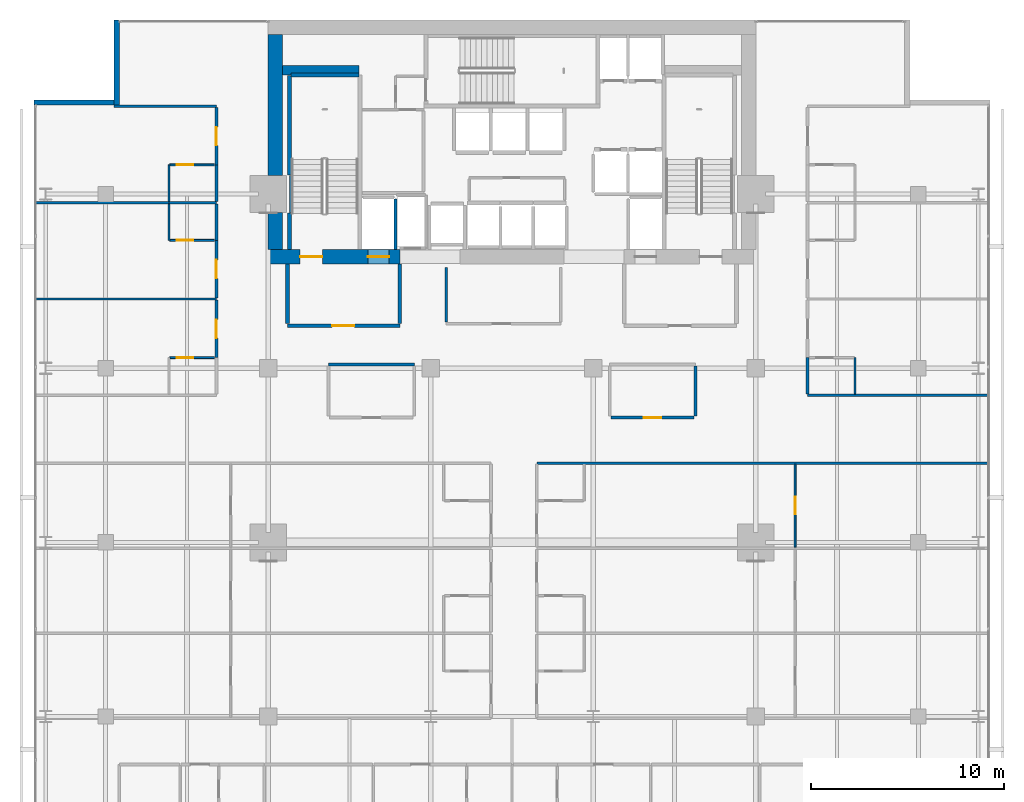
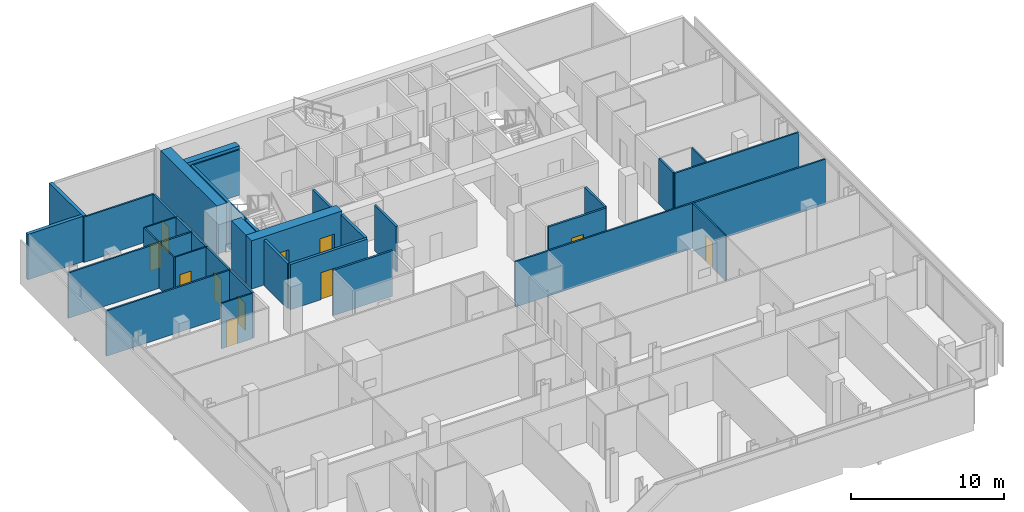
# One storey, part 29 of 34: 36 walls, 11 doors, 11 openings.
"""IFC4 building model written with IfcOpenShell, lengths in metres."""

from ifc_helpers import new_model, si_unit, direction, frame, frame_2d, origin, place, context, subcontext, project, spatial, rectangle, extrude, material, layer, layer_set, type_object, element, fill, save


model = new_model("IFC4")

# Units and contexts
model_context = context("Model", 3, precision=1e-05, world=origin(), true_north=direction((0.0, 1.0)))
body_context = subcontext(model_context, "Body", "Model", "MODEL_VIEW")
ifc_project = project(units=[si_unit("LENGTHUNIT", "METRE"), si_unit("AREAUNIT", "SQUARE_METRE"), si_unit("VOLUMEUNIT", "CUBIC_METRE"), si_unit("PLANEANGLEUNIT", "RADIAN"), si_unit("MASSUNIT", "GRAM", prefix="KILO")], contexts=[model_context])

# Site, building, storey
site_placement = place(None, origin())
site = spatial("IfcSite", under=ifc_project, at=site_placement, CompositionType="ELEMENT")
building_placement = place(site_placement, origin())
building = spatial("IfcBuilding", under=site, at=building_placement, Name="Maruvema Waterfront Hotel and Observation Tower", CompositionType="ELEMENT")
storey_placement = place(building_placement, frame((0.0, 0.0, 208.25)))
storey = spatial("IfcBuildingStorey", under=building, at=storey_placement, Name="L51", CompositionType="ELEMENT", Elevation=208.25)

# Walls
ifc_material_1 = material(Name="Twin-stud acoustic gypsum drywall", Category="gypsum")
ifc_layer_1 = layer(ifc_material_1, 0.14990234375, Name="Acoustic Corridor and Suite Demising Wall 150 mm")
ifc_layer_set_1 = layer_set([ifc_layer_1], Name="Twin-stud acoustic gypsum drywall")
wall_type_1 = type_object("IfcWallType", Name="Acoustic Corridor and Suite Demising Wall 150 mm", PredefinedType="PARTITIONING", material=ifc_layer_set_1)
wall_1_placement = place(storey_placement, frame((34.39990234375, 38.3798828125, 0.0), z_axis=(0.0, 0.0, 1.0), x_axis=(0.0, 1.0, 0.0)))
element("IfcWall", 1, at=wall_1_placement, inside=storey, type_object=wall_type_1, Name="L51 Core Apron K0 West 019", PredefinedType="PARTITIONING", context=body_context, shape_type="SweptSolid", body=[
    extrude(rectangle(XDim=2.840087890625, YDim=0.14990234375, at=frame_2d((1.419921875, 0.0))), origin(), (0.0, 0.0, 1.0), 3.610107421875),
])
wall_2_placement = place(storey_placement, frame((28.320068359375, 36.199951171875, 0.0), z_axis=(0.0, 0.0, 1.0), x_axis=(1.0, 0.0, 0.0)))
element("IfcWall", 2, at=wall_2_placement, inside=storey, type_object=wall_type_1, Name="L51 L51-M1 Back Wall 021", PredefinedType="PARTITIONING", context=body_context, shape_type="SweptSolid", body=[
    extrude(rectangle(XDim=4.429931640625, YDim=0.14990234375, at=frame_2d((2.21484375, 0.0))), origin(), (0.0, 0.0, 1.0), 3.610107421875),
])
wall_3_placement = place(storey_placement, frame((47.280029296875, 33.530029296875, 0.0), z_axis=(0.0, 0.0, 1.0), x_axis=(0.0, 1.0, 0.0)))
element("IfcWall", 3, at=wall_3_placement, inside=storey, type_object=wall_type_1, Name="L51 L51-M2 East Wall 027", PredefinedType="PARTITIONING", context=body_context, shape_type="SweptSolid", body=[
    extrude(rectangle(XDim=2.590087890625, YDim=0.14990234375, at=frame_2d((1.294921875, 0.0))), origin(), (0.0, 0.0, 1.0), 3.610107421875),
])

# Wall, opening, door
wall_4_placement = place(storey_placement, frame((42.909912109375, 33.449951171875, 0.0), z_axis=(0.0, 0.0, 1.0), x_axis=(1.0, 0.0, 0.0)))
wall_4 = element("IfcWall", 4, at=wall_4_placement, inside=storey, type_object=wall_type_1, Name="L51 L51-M2 Front 1 028", PredefinedType="PARTITIONING", context=body_context, shape_type="SweptSolid", body=[
    extrude(rectangle(XDim=4.31005859375, YDim=0.14990234375, at=frame_2d((2.155029296875, 0.0))), origin(), (0.0, 0.0, 1.0), 3.610107421875),
])
opening_1_placement = place(wall_4_placement, frame((1.705078125, 0.0, 0.0)))
opening_1 = element("IfcOpeningElement", 5, at=opening_1_placement, cuts=wall_4, Name="Opening DR-090", PredefinedType="OPENING", context=body_context, shape_type="SweptSolid", body=[
    extrude(rectangle(XDim=0.89990234375, YDim=2.10009765625, at=frame_2d((0.449951171875, 1.050048828125))), frame((0.0, 0.0849609375, 0.0), z_axis=(0.0, -1.0, 0.0), x_axis=(1.0, 0.0, 0.0)), (0.0, 0.0, 1.0), 0.169921875),
])
ifc_material_2 = material(Name="Solid-core lacquered timber leaf", Category="wood")
door_type_1 = type_object("IfcDoorType", Name="Accessible Toilet and Room Door 900x2100 mm", OperationType="NOTDEFINED", PredefinedType="DOOR", material=ifc_material_2)
door_1_placement = place(opening_1_placement, frame((0.89990234375, 0.0, 0.0), z_axis=(0.0, 0.0, 1.0), x_axis=(-1.0, 0.0, 0.0)))
door_1 = element("IfcDoor", 6, at=door_1_placement, inside=storey, type_object=door_type_1, Name="L51 Catering Kitchen Door", OperationType="SINGLE_SWING_RIGHT", OverallHeight=2.10009765625, OverallWidth=0.89990234375, PredefinedType="DOOR", context=body_context, shape_type="SweptSolid", body=[
    extrude(rectangle(XDim=0.89990234375, YDim=2.10009765625, at=frame_2d((0.449951171875, 1.050048828125))), frame((0.0, 0.02490234375, 0.0), z_axis=(0.0, -1.0, 0.0), x_axis=(1.0, 0.0, 0.0)), (0.0, 0.0, 1.0), 0.050048828125),
])
fill(opening_1, door_1)

wall_5_placement = place(storey_placement, frame((22.52001953125, 36.550048828125, 0.0), z_axis=(0.0, 0.0, 1.0), x_axis=(0.0, 1.0, 0.0)))
wall_5 = element("IfcWall", 7, at=wall_5_placement, inside=storey, type_object=wall_type_1, Name="L51 Room L51-NW1 Corridor Wall 101", PredefinedType="PARTITIONING", context=body_context, shape_type="SweptSolid", body=[
    extrude(rectangle(XDim=2.96923828125, YDim=0.14990234375, at=frame_2d((1.484619140625, 0.0))), origin(), (0.0, 0.0, 1.0), 3.610107421875),
])
opening_2_placement = place(wall_5_placement, frame((1.009521484375, 0.0, 0.0)))
opening_2 = element("IfcOpeningElement", 8, at=opening_2_placement, cuts=wall_5, Name="Opening DR-095", PredefinedType="OPENING", context=body_context, shape_type="SweptSolid", body=[
    extrude(rectangle(XDim=0.949951171875, YDim=2.14990234375, at=frame_2d((0.47509765625, 1.074951171875))), frame((0.0, 0.0849609375, 0.0), z_axis=(0.0, -1.0, 0.0), x_axis=(1.0, 0.0, 0.0)), (0.0, 0.0, 1.0), 0.169921875),
])
ifc_material_3 = material(Name="Acoustic solid-core hardwood timber leaf", Category="wood")
door_type_2 = type_object("IfcDoorType", Name="Guestroom Entrance Fire Door 950x2150 mm", OperationType="NOTDEFINED", PredefinedType="DOOR", material=ifc_material_3)
door_2_placement = place(opening_2_placement, origin())
door_2 = element("IfcDoor", 9, at=door_2_placement, inside=storey, type_object=door_type_2, Name="L51 Room L51-NW1 Entrance Door", OperationType="SINGLE_SWING_RIGHT", OverallHeight=2.14990234375, OverallWidth=0.949951171875, PredefinedType="DOOR", context=body_context, shape_type="SweptSolid", body=[
    extrude(rectangle(XDim=0.949951171875, YDim=2.14990234375, at=frame_2d((0.47509765625, 1.074951171875))), frame((0.0, 0.02490234375, 0.0), z_axis=(0.0, -1.0, 0.0), x_axis=(1.0, 0.0, 0.0)), (0.0, 0.0, 1.0), 0.050048828125),
])
fill(opening_2, door_2)

# Wall
wall_6_placement = place(storey_placement, frame((53.080078125, 34.659912109375, 0.0), z_axis=(0.0, 0.0, 1.0), x_axis=(0.0, 1.0, 0.0)))
element("IfcWall", 10, at=wall_6_placement, inside=storey, type_object=wall_type_1, Name="L51 Bath L51-NE1 Wall 104", PredefinedType="PARTITIONING", context=body_context, shape_type="SweptSolid", body=[
    extrude(rectangle(XDim=1.89013671875, YDim=0.14990234375, at=frame_2d((0.945068359375, 0.0))), origin(), (0.0, 0.0, 1.0), 3.610107421875),
])

# Wall, opening, door
wall_7_placement = place(storey_placement, frame((22.52001953125, 39.63916015625, 0.0), z_axis=(0.0, 0.0, 1.0), x_axis=(0.0, 1.0, 0.0)))
wall_7 = element("IfcWall", 11, at=wall_7_placement, inside=storey, type_object=wall_type_1, Name="L51 Room L51-NW2 Corridor Wall 110", PredefinedType="PARTITIONING", context=body_context, shape_type="SweptSolid", body=[
    extrude(rectangle(XDim=2.96923828125, YDim=0.14990234375, at=frame_2d((1.484619140625, 0.0))), origin(), (0.0, 0.0, 1.0), 3.610107421875),
])
opening_3_placement = place(wall_7_placement, frame((1.009521484375, 0.0, 0.0)))
opening_3 = element("IfcOpeningElement", 12, at=opening_3_placement, cuts=wall_7, Name="Opening DR-095", PredefinedType="OPENING", context=body_context, shape_type="SweptSolid", body=[
    extrude(rectangle(XDim=0.949951171875, YDim=2.14990234375, at=frame_2d((0.47509765625, 1.074951171875))), frame((0.0, 0.0849609375, 0.0), z_axis=(0.0, -1.0, 0.0), x_axis=(1.0, 0.0, 0.0)), (0.0, 0.0, 1.0), 0.169921875),
])
door_3_placement = place(opening_3_placement, origin())
door_3 = element("IfcDoor", 13, at=door_3_placement, inside=storey, type_object=door_type_2, Name="L51 Room L51-NW2 Entrance Door", OperationType="SINGLE_SWING_RIGHT", OverallHeight=2.14990234375, OverallWidth=0.949951171875, PredefinedType="DOOR", context=body_context, shape_type="SweptSolid", body=[
    extrude(rectangle(XDim=0.949951171875, YDim=2.14990234375, at=frame_2d((0.47509765625, 1.074951171875))), frame((0.0, 0.02490234375, 0.0), z_axis=(0.0, -1.0, 0.0), x_axis=(1.0, 0.0, 0.0)), (0.0, 0.0, 1.0), 0.050048828125),
])
fill(opening_3, door_3)

# Walls
for number, where, z_axis, x_axis, name in (
    (14, (22.52001953125, 42.6083984375, 0.0), (0.0, 0.0, 1.0), (0.0, 1.0, 0.0), "L51 Bath L51-NW2 Wall 111"),
    (15, (22.52001953125, 44.618408203125, 0.0), (0.0, 0.0, 1.0), (0.0, 1.0, 0.0), "L51 Bath L51-NW3 Wall 120"),
):
    element("IfcWall", number, at=place(storey_placement, frame(where, z_axis=z_axis, x_axis=x_axis)), inside=storey, type_object=wall_type_1, Name=name, PredefinedType="PARTITIONING", context=body_context, shape_type="SweptSolid", body=[
        extrude(rectangle(XDim=1.889892578125, YDim=0.14990234375, at=frame_2d((0.94482421875, 0.0))), origin(), (0.0, 0.0, 1.0), 3.610107421875),
    ])

# Wall, opening, door
wall_8_placement = place(storey_placement, frame((22.52001953125, 46.50830078125, 0.0), z_axis=(0.0, 0.0, 1.0), x_axis=(0.0, 1.0, 0.0)))
wall_8 = element("IfcWall", 16, at=wall_8_placement, inside=storey, type_object=wall_type_1, Name="L51 Room L51-NW3 Corridor Wall 121", PredefinedType="PARTITIONING", context=body_context, shape_type="SweptSolid", body=[
    extrude(rectangle(XDim=2.96923828125, YDim=0.14990234375, at=frame_2d((1.484619140625, 0.0))), origin(), (0.0, 0.0, 1.0), 3.610107421875),
])
opening_4_placement = place(wall_8_placement, frame((1.009521484375, 0.0, 0.0)))
opening_4 = element("IfcOpeningElement", 17, at=opening_4_placement, cuts=wall_8, Name="Opening DR-095", PredefinedType="OPENING", context=body_context, shape_type="SweptSolid", body=[
    extrude(rectangle(XDim=0.949951171875, YDim=2.14990234375, at=frame_2d((0.47509765625, 1.074951171875))), frame((0.0, 0.0849609375, 0.0), z_axis=(0.0, -1.0, 0.0), x_axis=(1.0, 0.0, 0.0)), (0.0, 0.0, 1.0), 0.169921875),
])
door_4_placement = place(opening_4_placement, origin())
door_4 = element("IfcDoor", 18, at=door_4_placement, inside=storey, type_object=door_type_2, Name="L51 Room L51-NW3 Entrance Door", OperationType="SINGLE_SWING_RIGHT", OverallHeight=2.14990234375, OverallWidth=0.949951171875, PredefinedType="DOOR", context=body_context, shape_type="SweptSolid", body=[
    extrude(rectangle(XDim=0.949951171875, YDim=2.14990234375, at=frame_2d((0.47509765625, 1.074951171875))), frame((0.0, 0.02490234375, 0.0), z_axis=(0.0, -1.0, 0.0), x_axis=(1.0, 0.0, 0.0)), (0.0, 0.0, 1.0), 0.050048828125),
])
fill(opening_4, door_4)

# Walls
ifc_material_4 = material(Name="Precast concrete C45/55", Category="concrete")
ifc_layer_2 = layer(ifc_material_4, 0.199951171875, Name="Core Shaft and Stairwell Enclosure Wall 200 mm")
ifc_layer_set_2 = layer_set([ifc_layer_2], Name="Precast concrete C45/55")
wall_type_2 = type_object("IfcWallType", Name="Core Shaft and Stairwell Enclosure Wall 200 mm", PredefinedType="SOLIDWALL", material=ifc_layer_set_2)
wall_9_placement = place(storey_placement, frame((26.300048828125, 42.14990234375, 0.0), z_axis=(0.0, 0.0, 1.0), x_axis=(0.0, 1.0, 0.0)))
element("IfcWall", 19, at=wall_9_placement, inside=storey, type_object=wall_type_2, Name="L51 Stairwell ST-01 Shaft Lining Wall", PredefinedType="SOLIDWALL", context=body_context, shape_type="SweptSolid", body=[
    extrude(rectangle(XDim=1.8701171875, YDim=0.199951171875, at=frame_2d((0.93505859375, 0.0))), origin(), (0.0, 0.0, 1.0), 3.610107421875),
])
wall_10_placement = place(storey_placement, frame((26.300048828125, 45.97998046875, 0.0), z_axis=(0.0, 0.0, 1.0), x_axis=(0.0, 1.0, 0.0)))
element("IfcWall", 20, at=wall_10_placement, inside=storey, type_object=wall_type_2, Name="L51 Stairwell ST-01 Shaft Lining Wall", PredefinedType="SOLIDWALL", context=body_context, shape_type="SweptSolid", body=[
    extrude(rectangle(XDim=5.14013671875, YDim=0.199951171875, at=frame_2d((2.570068359375, 0.0))), origin(), (0.0, 0.0, 1.0), 3.610107421875),
])
wall_11_placement = place(storey_placement, frame((26.3798828125, 51.14990234375, 0.0), z_axis=(0.0, 0.0, 1.0), x_axis=(1.0, 0.0, 0.0)))
element("IfcWall", 21, at=wall_11_placement, inside=storey, type_object=wall_type_2, Name="L51 Stairwell ST-01 Shaft Lining Wall", PredefinedType="SOLIDWALL", context=body_context, shape_type="SweptSolid", body=[
    extrude(rectangle(XDim=3.5, YDim=0.199951171875, at=frame_2d((1.75, 0.0))), origin(), (0.0, 0.0, 1.0), 3.610107421875),
])
ifc_material_5 = material(Name="Concrete C70/85", Category="concrete")
ifc_layer_3 = layer(ifc_material_5, 0.5, Name="Core Shear Wall 500 mm")
ifc_layer_set_3 = layer_set([ifc_layer_3], Name="Concrete C70/85")
wall_type_3 = type_object("IfcWallType", Name="Core Shear Wall 500 mm", PredefinedType="SHEAR", material=ifc_layer_set_3)
wall_12_placement = place(storey_placement, frame((25.949951171875, 51.39990234375, 0.0), z_axis=(0.0, 0.0, 1.0), x_axis=(1.0, 0.0, 0.0)))
element("IfcWall", 22, at=wall_12_placement, inside=storey, type_object=wall_type_3, Name="L51 Internal Core Shear Wall NW 500 mm", PredefinedType="SHEAR", context=body_context, shape_type="SweptSolid", body=[
    extrude(rectangle(XDim=3.949951171875, YDim=0.5, at=frame_2d((1.97509765625, 0.0))), origin(), (0.0, 0.0, 1.0), 3.85009765625),
])

# Wall, openings, doors
ifc_material_6 = material(Name="Concrete C70/85", Category="concrete")
ifc_layer_4 = layer(ifc_material_6, 0.75, Name="Core Shear Wall 750 mm")
ifc_layer_set_4 = layer_set([ifc_layer_4], Name="Concrete C70/85")
wall_type_4 = type_object("IfcWallType", Name="Core Shear Wall 750 mm", PredefinedType="SHEAR", material=ifc_layer_set_4)
wall_13_placement = place(storey_placement, frame((25.199951171875, 41.77490234375, 0.0), z_axis=(0.0, 0.0, 1.0), x_axis=(1.0, 0.0, 0.0)))
wall_13 = element("IfcWall", 23, at=wall_13_placement, inside=storey, type_object=wall_type_4, Name="L51 South-West Core Shear Wall", PredefinedType="SHEAR", context=body_context, shape_type="SweptSolid", body=[
    extrude(rectangle(XDim=6.800048828125, YDim=0.75, at=frame_2d((3.39990234375, 0.0))), origin(), (0.0, 0.0, 1.0), 3.85009765625),
])
opening_5_placement = place(wall_13_placement, frame((1.64990234375, 0.0, 0.0)))
opening_5 = element("IfcOpeningElement", 24, at=opening_5_placement, cuts=wall_13, Name="Opening SD-01", PredefinedType="OPENING", context=body_context, shape_type="SweptSolid", body=[
    extrude(rectangle(XDim=1.14990234375, YDim=2.14990234375, at=frame_2d((0.574951171875, 1.074951171875))), frame((0.0, 0.385009765625, 0.0), z_axis=(0.0, -1.0, 0.0), x_axis=(1.0, 0.0, 0.0)), (0.0, 0.0, 1.0), 0.77001953125),
])
opening_6_placement = place(wall_13_placement, frame((5.14990234375, 0.0, 0.0)))
opening_6 = element("IfcOpeningElement", 25, at=opening_6_placement, cuts=wall_13, Name="Opening LD-03", PredefinedType="OPENING", context=body_context, shape_type="SweptSolid", body=[
    extrude(rectangle(XDim=1.10009765625, YDim=2.199951171875, at=frame_2d((0.550048828125, 1.10009765625))), frame((0.0, 0.385009765625, 0.0), z_axis=(0.0, -1.0, 0.0), x_axis=(1.0, 0.0, 0.0)), (0.0, 0.0, 1.0), 0.77001953125),
])
ifc_material_7 = material(Name="Fire-rated galvanised steel leaf", Category="steel")
door_type_3 = type_object("IfcDoorType", Name="Exit Stair Fire Door 1150x2150 mm", OperationType="NOTDEFINED", PredefinedType="DOOR", material=ifc_material_7)
door_5_placement = place(opening_5_placement, origin())
door_5 = element("IfcDoor", 26, at=door_5_placement, inside=storey, type_object=door_type_3, Name="L51 Exit Stair ST-01 Fire Door", OperationType="SINGLE_SWING_LEFT", OverallHeight=2.14990234375, OverallWidth=1.14990234375, PredefinedType="DOOR", context=body_context, shape_type="SweptSolid", body=[
    extrude(rectangle(XDim=1.14990234375, YDim=2.14990234375, at=frame_2d((0.574951171875, 1.074951171875))), frame((0.0, 0.02490234375, 0.0), z_axis=(0.0, -1.0, 0.0), x_axis=(1.0, 0.0, 0.0)), (0.0, 0.0, 1.0), 0.050048828125),
])
fill(opening_5, door_5)
ifc_material_8 = material(Name="Brushed stainless steel Grade 316", Category="steel")
door_type_4 = type_object("IfcDoorType", Name="Firefighting Lift Sliding Landing Door 1100x2200 mm", OperationType="SLIDING_TO_LEFT", PredefinedType="DOOR", material=ifc_material_8)
door_6_placement = place(opening_6_placement, frame((1.10009765625, 0.0, 0.0), z_axis=(0.0, 0.0, 1.0), x_axis=(-1.0, 0.0, 0.0)))
door_6 = element("IfcDoor", 27, at=door_6_placement, inside=storey, type_object=door_type_4, Name="L51 Firefighting Lift FL-01 Landing Door", OperationType="SLIDING_TO_LEFT", OverallHeight=2.199951171875, OverallWidth=1.10009765625, PredefinedType="DOOR", context=body_context, shape_type="SweptSolid", body=[
    extrude(rectangle(XDim=1.10009765625, YDim=2.199951171875, at=frame_2d((0.550048828125, 1.10009765625))), frame((0.0, 0.02490234375, 0.0), z_axis=(0.0, -1.0, 0.0), x_axis=(1.0, 0.0, 0.0)), (0.0, 0.0, 1.0), 0.050048828125),
])
fill(opening_6, door_6)

# Walls
wall_14_placement = place(storey_placement, frame((25.574951171875, 42.14990234375, 0.0), z_axis=(0.0, 0.0, 1.0), x_axis=(0.0, 1.0, 0.0)))
element("IfcWall", 28, at=wall_14_placement, inside=storey, type_object=wall_type_4, Name="L51 West-South Core Shear Wall", PredefinedType="SHEAR", context=body_context, shape_type="SweptSolid", body=[
    extrude(rectangle(XDim=1.900146484375, YDim=0.75, at=frame_2d((0.9501953125, 0.0))), origin(), (0.0, 0.0, 1.0), 3.85009765625),
])
wall_15_placement = place(storey_placement, frame((25.574951171875, 45.949951171875, 0.0), z_axis=(0.0, 0.0, 1.0), x_axis=(0.0, 1.0, 0.0)))
element("IfcWall", 29, at=wall_15_placement, inside=storey, type_object=wall_type_4, Name="L51 West-North Core Shear Wall", PredefinedType="SHEAR", context=body_context, shape_type="SweptSolid", body=[
    extrude(rectangle(XDim=7.300048828125, YDim=0.75, at=frame_2d((3.64990234375, 0.0))), origin(), (0.0, 0.0, 1.0), 3.85009765625),
])

# Wall, opening, door
ifc_material_9 = material(Name="Moisture-resistant cement-board drywall", Category="gypsum")
ifc_layer_5 = layer(ifc_material_9, 0.10009765625, Name="En-Suite Moisture-Resistant Partition 100 mm")
ifc_layer_set_5 = layer_set([ifc_layer_5], Name="Moisture-resistant cement-board drywall")
wall_type_5 = type_object("IfcWallType", Name="En-Suite Moisture-Resistant Partition 100 mm", PredefinedType="PARTITIONING", material=ifc_layer_set_5)
wall_16_placement = place(storey_placement, frame((52.434326171875, 26.760009765625, 0.0), z_axis=(0.0, 0.0, 1.0), x_axis=(0.0, 1.0, 0.0)))
wall_16 = element("IfcWall", 30, at=wall_16_placement, inside=storey, type_object=wall_type_5, Name="L51 Suite L51-E3 Split 095", PredefinedType="PARTITIONING", context=body_context, shape_type="SweptSolid", body=[
    extrude(rectangle(XDim=4.280029296875, YDim=0.10009765625, at=frame_2d((2.14013671875, 0.0))), origin(), (0.0, 0.0, 1.0), 3.610107421875),
])
opening_7_placement = place(wall_16_placement, frame((1.68994140625, 0.0, 0.0)))
opening_7 = element("IfcOpeningElement", 31, at=opening_7_placement, cuts=wall_16, Name="Opening DR-090", PredefinedType="OPENING", context=body_context, shape_type="SweptSolid", body=[
    extrude(rectangle(XDim=0.89990234375, YDim=2.10009765625, at=frame_2d((0.449951171875, 1.050048828125))), frame((0.0, 0.06005859375, 0.0), z_axis=(0.0, -1.0, 0.0), x_axis=(1.0, 0.0, 0.0)), (0.0, 0.0, 1.0), 0.1201171875),
])
door_7_placement = place(opening_7_placement, frame((0.89990234375, 0.0, 0.0), z_axis=(0.0, 0.0, 1.0), x_axis=(-1.0, 0.0, 0.0)))
door_7 = element("IfcDoor", 32, at=door_7_placement, inside=storey, type_object=door_type_1, Name="L51 Suite L51-E3 Bedroom Door", OperationType="SINGLE_SWING_RIGHT", OverallHeight=2.10009765625, OverallWidth=0.89990234375, PredefinedType="DOOR", context=body_context, shape_type="SweptSolid", body=[
    extrude(rectangle(XDim=0.89990234375, YDim=2.10009765625, at=frame_2d((0.449951171875, 1.050048828125))), frame((0.0, 0.02490234375, 0.0), z_axis=(0.0, -1.0, 0.0), x_axis=(1.0, 0.0, 0.0)), (0.0, 0.0, 1.0), 0.050048828125),
])
fill(opening_7, door_7)

wall_17_placement = place(storey_placement, frame((20.1201171875, 36.550048828125, 0.0), z_axis=(0.0, 0.0, 1.0), x_axis=(1.0, 0.0, 0.0)))
wall_17 = element("IfcWall", 33, at=wall_17_placement, inside=storey, type_object=wall_type_5, Name="L51 En-Suite L51-NW1 N 103", PredefinedType="PARTITIONING", context=body_context, shape_type="SweptSolid", body=[
    extrude(rectangle(XDim=2.2998046875, YDim=0.10009765625, at=frame_2d((1.14990234375, 0.0))), origin(), (0.0, 0.0, 1.0), 3.610107421875),
])
opening_8_placement = place(wall_17_placement, frame((0.35009765625, 0.0, 0.0)))
opening_8 = element("IfcOpeningElement", 34, at=opening_8_placement, cuts=wall_17, Name="Opening DR-085", PredefinedType="OPENING", context=body_context, shape_type="SweptSolid", body=[
    extrude(rectangle(XDim=0.85009765625, YDim=2.10009765625, at=frame_2d((0.425048828125, 1.050048828125))), frame((0.0, 0.06005859375, 0.0), z_axis=(0.0, -1.0, 0.0), x_axis=(1.0, 0.0, 0.0)), (0.0, 0.0, 1.0), 0.1201171875),
])
ifc_material_10 = material(Name="Moisture-resistant solid timber leaf", Category="wood")
door_type_5 = type_object("IfcDoorType", Name="En-Suite Bathroom Door 850x2100 mm", OperationType="NOTDEFINED", PredefinedType="DOOR", material=ifc_material_10)
door_8_placement = place(opening_8_placement, origin())
door_8 = element("IfcDoor", 35, at=door_8_placement, inside=storey, type_object=door_type_5, Name="L51 En-Suite L51-NW1 Door", OperationType="SINGLE_SWING_LEFT", OverallHeight=2.10009765625, OverallWidth=0.85009765625, PredefinedType="DOOR", context=body_context, shape_type="SweptSolid", body=[
    extrude(rectangle(XDim=0.85009765625, YDim=2.10009765625, at=frame_2d((0.425048828125, 1.050048828125))), frame((0.0, 0.02490234375, 0.0), z_axis=(0.0, -1.0, 0.0), x_axis=(1.0, 0.0, 0.0)), (0.0, 0.0, 1.0), 0.050048828125),
])
fill(opening_8, door_8)

# Walls
wall_18_placement = place(storey_placement, frame((55.530029296875, 34.659912109375, 0.0), z_axis=(0.0, 0.0, 1.0), x_axis=(0.0, 1.0, 0.0)))
element("IfcWall", 36, at=wall_18_placement, inside=storey, type_object=wall_type_5, Name="L51 En-Suite L51-NE1 E 106", PredefinedType="PARTITIONING", context=body_context, shape_type="SweptSolid", body=[
    extrude(rectangle(XDim=1.89013671875, YDim=0.10009765625, at=frame_2d((0.945068359375, 0.0))), origin(), (0.0, 0.0, 1.0), 3.610107421875),
])
wall_19_placement = place(storey_placement, frame((20.070068359375, 42.6083984375, 0.0), z_axis=(0.0, 0.0, 1.0), x_axis=(0.0, 1.0, 0.0)))
element("IfcWall", 37, at=wall_19_placement, inside=storey, type_object=wall_type_5, Name="L51 En-Suite L51-NW2 W 112", PredefinedType="PARTITIONING", context=body_context, shape_type="SweptSolid", body=[
    extrude(rectangle(XDim=1.889892578125, YDim=0.10009765625, at=frame_2d((0.94482421875, 0.0))), origin(), (0.0, 0.0, 1.0), 3.610107421875),
])

# Wall, opening, door
wall_20_placement = place(storey_placement, frame((20.1201171875, 42.6083984375, 0.0), z_axis=(0.0, 0.0, 1.0), x_axis=(1.0, 0.0, 0.0)))
wall_20 = element("IfcWall", 38, at=wall_20_placement, inside=storey, type_object=wall_type_5, Name="L51 En-Suite L51-NW2 S 113", PredefinedType="PARTITIONING", context=body_context, shape_type="SweptSolid", body=[
    extrude(rectangle(XDim=2.2998046875, YDim=0.10009765625, at=frame_2d((1.14990234375, 0.0))), origin(), (0.0, 0.0, 1.0), 3.610107421875),
])
opening_9_placement = place(wall_20_placement, frame((0.35009765625, 0.0, 0.0)))
opening_9 = element("IfcOpeningElement", 39, at=opening_9_placement, cuts=wall_20, Name="Opening DR-085", PredefinedType="OPENING", context=body_context, shape_type="SweptSolid", body=[
    extrude(rectangle(XDim=0.85009765625, YDim=2.10009765625, at=frame_2d((0.425048828125, 1.050048828125))), frame((0.0, 0.06005859375, 0.0), z_axis=(0.0, -1.0, 0.0), x_axis=(1.0, 0.0, 0.0)), (0.0, 0.0, 1.0), 0.1201171875),
])
door_9_placement = place(opening_9_placement, frame((0.85009765625, 0.0, 0.0), z_axis=(0.0, 0.0, 1.0), x_axis=(-1.0, 0.0, 0.0)))
door_9 = element("IfcDoor", 40, at=door_9_placement, inside=storey, type_object=door_type_5, Name="L51 En-Suite L51-NW2 Door", OperationType="SINGLE_SWING_LEFT", OverallHeight=2.10009765625, OverallWidth=0.85009765625, PredefinedType="DOOR", context=body_context, shape_type="SweptSolid", body=[
    extrude(rectangle(XDim=0.85009765625, YDim=2.10009765625, at=frame_2d((0.425048828125, 1.050048828125))), frame((0.0, 0.02490234375, 0.0), z_axis=(0.0, -1.0, 0.0), x_axis=(1.0, 0.0, 0.0)), (0.0, 0.0, 1.0), 0.050048828125),
])
fill(opening_9, door_9)

# Wall
wall_21_placement = place(storey_placement, frame((20.070068359375, 44.618408203125, 0.0), z_axis=(0.0, 0.0, 1.0), x_axis=(0.0, 1.0, 0.0)))
element("IfcWall", 41, at=wall_21_placement, inside=storey, type_object=wall_type_5, Name="L51 En-Suite L51-NW3 W 122", PredefinedType="PARTITIONING", context=body_context, shape_type="SweptSolid", body=[
    extrude(rectangle(XDim=1.889892578125, YDim=0.10009765625, at=frame_2d((0.94482421875, 0.0))), origin(), (0.0, 0.0, 1.0), 3.610107421875),
])

# Wall, opening, door
wall_22_placement = place(storey_placement, frame((20.1201171875, 46.50830078125, 0.0), z_axis=(0.0, 0.0, 1.0), x_axis=(1.0, 0.0, 0.0)))
wall_22 = element("IfcWall", 42, at=wall_22_placement, inside=storey, type_object=wall_type_5, Name="L51 En-Suite L51-NW3 N 123", PredefinedType="PARTITIONING", context=body_context, shape_type="SweptSolid", body=[
    extrude(rectangle(XDim=2.2998046875, YDim=0.10009765625, at=frame_2d((1.14990234375, 0.0))), origin(), (0.0, 0.0, 1.0), 3.610107421875),
])
opening_10_placement = place(wall_22_placement, frame((0.35009765625, 0.0, 0.0)))
opening_10 = element("IfcOpeningElement", 43, at=opening_10_placement, cuts=wall_22, Name="Opening DR-085", PredefinedType="OPENING", context=body_context, shape_type="SweptSolid", body=[
    extrude(rectangle(XDim=0.85009765625, YDim=2.10009765625, at=frame_2d((0.425048828125, 1.050048828125))), frame((0.0, 0.06005859375, 0.0), z_axis=(0.0, -1.0, 0.0), x_axis=(1.0, 0.0, 0.0)), (0.0, 0.0, 1.0), 0.1201171875),
])
door_10_placement = place(opening_10_placement, origin())
door_10 = element("IfcDoor", 44, at=door_10_placement, inside=storey, type_object=door_type_5, Name="L51 En-Suite L51-NW3 Door", OperationType="SINGLE_SWING_LEFT", OverallHeight=2.10009765625, OverallWidth=0.85009765625, PredefinedType="DOOR", context=body_context, shape_type="SweptSolid", body=[
    extrude(rectangle(XDim=0.85009765625, YDim=2.10009765625, at=frame_2d((0.425048828125, 1.050048828125))), frame((0.0, 0.02490234375, 0.0), z_axis=(0.0, -1.0, 0.0), x_axis=(1.0, 0.0, 0.0)), (0.0, 0.0, 1.0), 0.050048828125),
])
fill(opening_10, door_10)

# Walls
ifc_material_11 = material(Name="Precast concrete C45/55 with honed Pernambuco granite facing", Category="masonry")
ifc_layer_6 = layer(ifc_material_11, 0.260009765625, Name="Exterior Granite Clad Spandrel and Pier Wall 260 mm")
ifc_layer_set_6 = layer_set([ifc_layer_6], Name="Precast concrete C45/55 with honed Pernambuco granite facing")
wall_type_6 = type_object("IfcWallType", Name="Exterior Granite Clad Spandrel and Pier Wall 260 mm", PredefinedType="SOLIDWALL", material=ifc_layer_set_6)
for number, where, z_axis, x_axis, name in (
    (45, (17.3701171875, 49.60009765625, 0.0), (0.0, 0.0, 1.0), (0.0, 1.0, 0.0), "L51 Corner Notch Granite Pier Wall NW1"),
    (46, (13.10009765625, 49.72998046875, 0.0), (0.0, 0.0, 1.0), (1.0, 0.0, 0.0), "L51 Corner Notch Granite Pier Wall NW2"),
):
    element("IfcWall", number, at=place(storey_placement, frame(where, z_axis=z_axis, x_axis=x_axis)), inside=storey, type_object=wall_type_6, Name=name, PredefinedType="SOLIDWALL", context=body_context, shape_type="SweptSolid", body=[
        extrude(rectangle(XDim=4.39990234375, YDim=0.260009765625, at=frame_2d((2.199951171875, 0.0))), origin(), (0.0, 0.0, 1.0), 3.610107421875),
    ])

# Wall, opening, door
ifc_material_12 = material(Name="Autoclaved cellular concrete blockwork", Category="masonry")
ifc_layer_7 = layer(ifc_material_12, 0.199951171875, Name="Fire Compartment Masonry Wall 200 mm")
ifc_layer_set_7 = layer_set([ifc_layer_7], Name="Autoclaved cellular concrete blockwork")
wall_type_7 = type_object("IfcWallType", Name="Fire Compartment Masonry Wall 200 mm", PredefinedType="PARTITIONING", material=ifc_layer_set_7)
wall_23_placement = place(storey_placement, frame((26.199951171875, 38.199951171875, 0.0), z_axis=(0.0, 0.0, 1.0), x_axis=(1.0, 0.0, 0.0)))
wall_23 = element("IfcWall", 47, at=wall_23_placement, inside=storey, type_object=wall_type_7, Name="L51 FFL West South Wall 001", PredefinedType="PARTITIONING", context=body_context, shape_type="SweptSolid", body=[
    extrude(rectangle(XDim=5.800048828125, YDim=0.199951171875, at=frame_2d((2.89990234375, 0.0))), origin(), (0.0, 0.0, 1.0), 3.610107421875),
])
opening_11_placement = place(wall_23_placement, frame((2.300048828125, 0.0, 0.0)))
opening_11 = element("IfcOpeningElement", 48, at=opening_11_placement, cuts=wall_23, Name="Opening FD-115", PredefinedType="OPENING", context=body_context, shape_type="SweptSolid", body=[
    extrude(rectangle(XDim=1.14990234375, YDim=2.14990234375, at=frame_2d((0.574951171875, 1.074951171875))), frame((0.0, 0.10986328125, 0.0), z_axis=(0.0, -1.0, 0.0), x_axis=(1.0, 0.0, 0.0)), (0.0, 0.0, 1.0), 0.219970703125),
])
ifc_material_13 = material(Name="Fire-rated galvanised steel and vision glass", Category="steel")
door_type_6 = type_object("IfcDoorType", Name="Firefighting Lobby Fire Door 1150x2150 mm", OperationType="NOTDEFINED", PredefinedType="DOOR", material=ifc_material_13)
door_11_placement = place(opening_11_placement, frame((1.14990234375, 0.0, 0.0), z_axis=(0.0, 0.0, 1.0), x_axis=(-1.0, 0.0, 0.0)))
door_11 = element("IfcDoor", 49, at=door_11_placement, inside=storey, type_object=door_type_6, Name="L51 Firefighting Lobby West Door", OperationType="SINGLE_SWING_RIGHT", OverallHeight=2.14990234375, OverallWidth=1.14990234375, PredefinedType="DOOR", context=body_context, shape_type="SweptSolid", body=[
    extrude(rectangle(XDim=1.14990234375, YDim=2.14990234375, at=frame_2d((0.574951171875, 1.074951171875))), frame((0.0, 0.02490234375, 0.0), z_axis=(0.0, -1.0, 0.0), x_axis=(1.0, 0.0, 0.0)), (0.0, 0.0, 1.0), 0.050048828125),
])
fill(opening_11, door_11)

# Walls
for number, where, z_axis, x_axis, name in (
    (50, (26.199951171875, 38.31005859375, 0.0), (0.0, 0.0, 1.0), (0.0, 1.0, 0.0), "L51 FFL West West Wall 002"),
    (51, (32.0, 38.31005859375, 0.0), (0.0, 0.0, 1.0), (0.0, 1.0, 0.0), "L51 FFL West East Wall 003"),
):
    element("IfcWall", number, at=place(storey_placement, frame(where, z_axis=z_axis, x_axis=x_axis)), inside=storey, type_object=wall_type_7, Name=name, PredefinedType="PARTITIONING", context=body_context, shape_type="SweptSolid", body=[
        extrude(rectangle(XDim=3.06982421875, YDim=0.199951171875, at=frame_2d((1.534912109375, 0.0))), origin(), (0.0, 0.0, 1.0), 3.610107421875),
    ])
ifc_material_14 = material(Name="Acoustic gypsum plasterboard drywall", Category="gypsum")
ifc_layer_8 = layer(ifc_material_14, 0.125, Name="Guestroom Acoustic Demising Wall 125 mm")
ifc_layer_set_8 = layer_set([ifc_layer_8], Name="Acoustic gypsum plasterboard drywall")
wall_type_8 = type_object("IfcWallType", Name="Guestroom Acoustic Demising Wall 125 mm", PredefinedType="PARTITIONING", material=ifc_layer_set_8)
wall_24_placement = place(storey_placement, frame((39.080078125, 31.10009765625, 0.0), z_axis=(0.0, 0.0, 1.0), x_axis=(1.0, 0.0, 0.0)))
element("IfcWall", 52, at=wall_24_placement, inside=storey, type_object=wall_type_8, Name="L51 Z2 E Top End 061", PredefinedType="PARTITIONING", context=body_context, shape_type="SweptSolid", body=[
    extrude(rectangle(XDim=23.31982421875, YDim=0.125, at=frame_2d((11.659912109375, 0.0))), origin(), (0.0, 0.0, 1.0), 3.610107421875),
])
wall_25_placement = place(storey_placement, frame((53.080078125, 34.60009765625, 0.0), z_axis=(0.0, 0.0, 1.0), x_axis=(1.0, 0.0, 0.0)))
element("IfcWall", 53, at=wall_25_placement, inside=storey, type_object=wall_type_8, Name="L51 Z2 NE Bot End 097", PredefinedType="PARTITIONING", context=body_context, shape_type="SweptSolid", body=[
    extrude(rectangle(XDim=9.31982421875, YDim=0.125, at=frame_2d((4.659912109375, 0.0))), origin(), (0.0, 0.0, 1.0), 3.610107421875),
])
wall_26_placement = place(storey_placement, frame((17.239990234375, 49.53759765625, 0.0), z_axis=(0.0, 0.0, 1.0), x_axis=(1.0, 0.0, 0.0)))
element("IfcWall", 54, at=wall_26_placement, inside=storey, type_object=wall_type_8, Name="L51 Z2 NW Top End 098", PredefinedType="PARTITIONING", context=body_context, shape_type="SweptSolid", body=[
    extrude(rectangle(XDim=5.280029296875, YDim=0.125, at=frame_2d((2.64013671875, 0.0))), origin(), (0.0, 0.0, 1.0), 3.610107421875),
])
for number, where, z_axis, x_axis, name in (
    (55, (13.199951171875, 39.5791015625, 0.0), (0.0, 0.0, 1.0), (1.0, 0.0, 0.0), "L51 Z2 NW Demising 2 108"),
    (56, (13.199951171875, 44.558349609375, 0.0), (0.0, 0.0, 1.0), (1.0, 0.0, 0.0), "L51 Z2 NW Demising 3 118"),
):
    element("IfcWall", number, at=place(storey_placement, frame(where, z_axis=z_axis, x_axis=x_axis)), inside=storey, type_object=wall_type_8, Name=name, PredefinedType="PARTITIONING", context=body_context, shape_type="SweptSolid", body=[
        extrude(rectangle(XDim=9.320068359375, YDim=0.125, at=frame_2d((4.66015625, 0.0))), origin(), (0.0, 0.0, 1.0), 3.610107421875),
    ])
ifc_material_15 = material(Name="Precast concrete C45/55", Category="concrete")
ifc_layer_9 = layer(ifc_material_15, 0.159912109375, Name="Lift Hoistway Divider Wall 160 mm")
ifc_layer_set_9 = layer_set([ifc_layer_9], Name="Precast concrete C45/55")
wall_type_9 = type_object("IfcWallType", Name="Lift Hoistway Divider Wall 160 mm", PredefinedType="SOLIDWALL", material=ifc_layer_set_9)
wall_27_placement = place(storey_placement, frame((31.780029296875, 42.14990234375, 0.0), z_axis=(0.0, 0.0, 1.0), x_axis=(0.0, 1.0, 0.0)))
element("IfcWall", 57, at=wall_27_placement, inside=storey, type_object=wall_type_9, Name="L51 Lift FL-01 Inner Hoistway Wall", PredefinedType="SOLIDWALL", context=body_context, shape_type="SweptSolid", body=[
    extrude(rectangle(XDim=2.590087890625, YDim=0.159912109375, at=frame_2d((1.294921875, 0.0))), origin(), (0.0, 0.0, 1.0), 3.610107421875),
])
ifc_material_16 = material(Name="Precast concrete C45/55", Category="concrete")
ifc_layer_10 = layer(ifc_material_16, 0.10009765625, Name="Stairwell Stringer Cheek Wall 100 mm")
ifc_layer_set_10 = layer_set([ifc_layer_10], Name="Precast concrete C45/55")
wall_type_10 = type_object("IfcWallType", Name="Stairwell Stringer Cheek Wall 100 mm", PredefinedType="SOLIDWALL", material=ifc_layer_set_10)
wall_28_placement = place(storey_placement, frame((26.35205078125, 44.0400390625, 0.0), z_axis=(0.0, 0.0, 1.0), x_axis=(0.0, 1.0, 0.0)))
element("IfcWall", 58, at=wall_28_placement, inside=storey, type_object=wall_type_10, Name="L51 Stairwell ST-01 Mega-Column Cheek Wall", PredefinedType="SOLIDWALL", context=body_context, shape_type="SweptSolid", body=[
    extrude(rectangle(XDim=1.919921875, YDim=0.10009765625, at=frame_2d((0.9599609375, 0.0))), origin(), (0.0, 0.0, 1.0), 3.610107421875),
])

save(model, "model.ifc")
